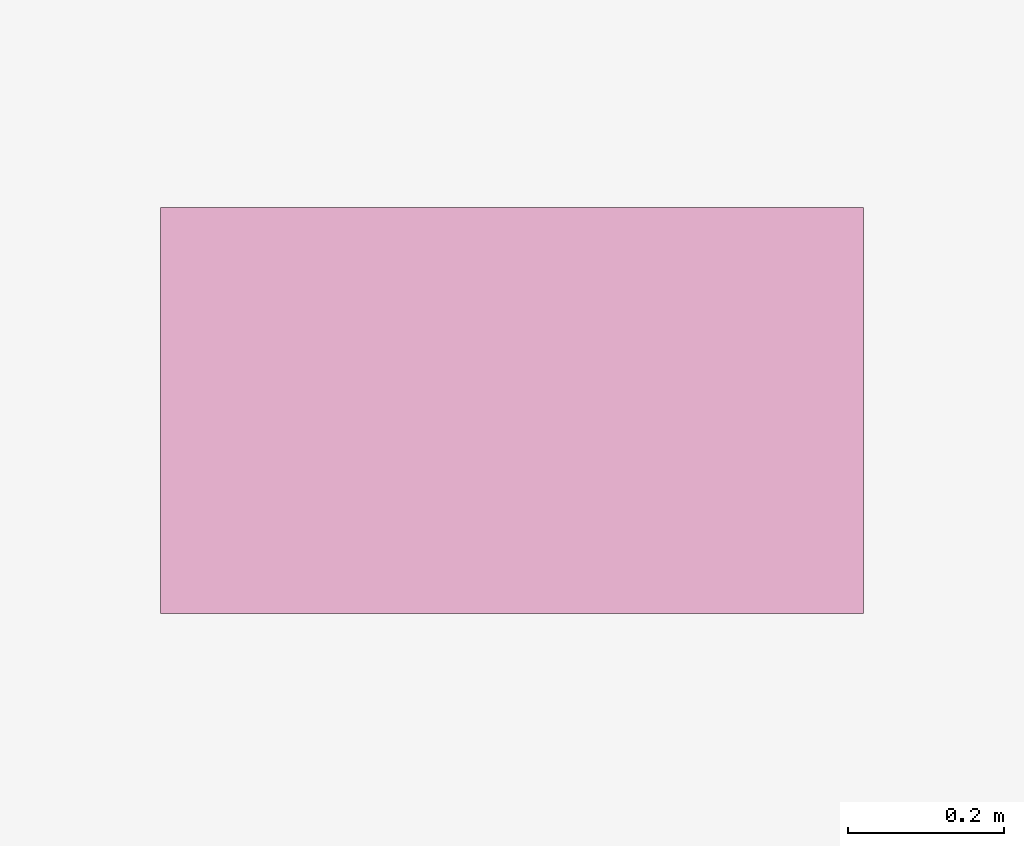
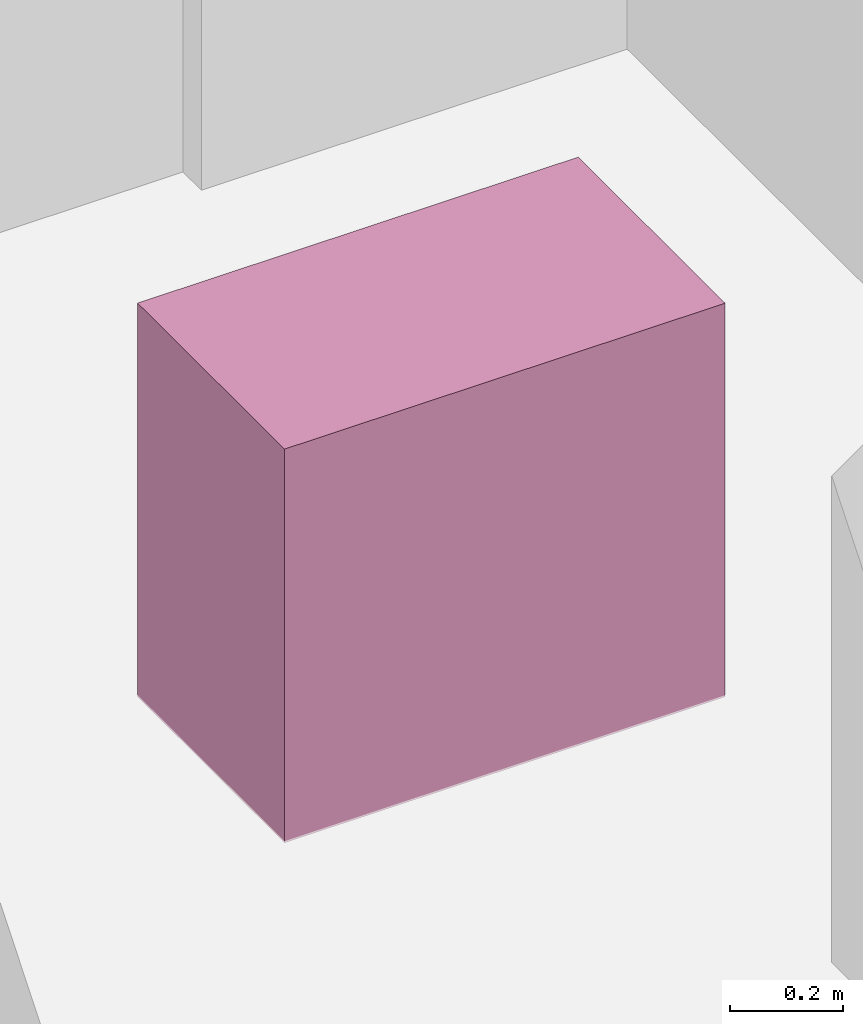
# One storey, part 30 of 30: 1 furnishing.
"""IFC4 building model written with IfcOpenShell, lengths in metres."""

from ifc_helpers import new_model, si_unit, direction, frame, origin, origin_2d, place, context, subcontext, project, spatial, rectangle, extrude, material, type_object, element, save


model = new_model("IFC4")

# Units and contexts
model_context = context("Model", 3, precision=1e-05, world=origin(), true_north=direction((0.0, 1.0)))
body_context = subcontext(model_context, "Body", "Model", "MODEL_VIEW")
ifc_project = project(units=[si_unit("LENGTHUNIT", "METRE"), si_unit("AREAUNIT", "SQUARE_METRE"), si_unit("VOLUMEUNIT", "CUBIC_METRE"), si_unit("PLANEANGLEUNIT", "RADIAN"), si_unit("MASSUNIT", "GRAM", prefix="KILO")], contexts=[model_context])

# Site, building, storey
site_placement = place(None, origin())
site = spatial("IfcSite", under=ifc_project, at=site_placement, CompositionType="ELEMENT")
building_placement = place(site_placement, origin())
building = spatial("IfcBuilding", under=site, at=building_placement, Name="Vorneva Point Tower", CompositionType="ELEMENT")
storey_placement = place(building_placement, frame((0.0, 0.0, 234.25)))
storey = spatial("IfcBuildingStorey", under=building, at=storey_placement, Name="L63", CompositionType="ELEMENT", Elevation=234.25)

# Furnishing
ifc_material = material(Name="Vitreous china and granite top", Category="masonry")
furniture_type = type_object("IfcFurnitureType", Name="FUR-VAN-900", AssemblyPlace="NOTDEFINED", PredefinedType="NOTDEFINED", material=ifc_material)
furnishing_placement = place(storey_placement, frame((34.85009765625, 32.1201171875, -0.005126953125), z_axis=(0.0, 0.0, 1.0), x_axis=(1.0, 0.0, 0.0)))
element("IfcFurnishingElement", 1, at=furnishing_placement, inside=storey, type_object=furniture_type, Name="L63 Public Male WC Vanity Unit", ObjectType="L63 Public Male WC Vanity Unit", context=body_context, shape_type="SweptSolid", body=[
    extrude(rectangle(XDim=0.89990234375, YDim=0.52001953125, at=origin_2d()), origin(), (0.0, 0.0, 1.0), 0.85009765625),
])

save(model, "model.ifc")
